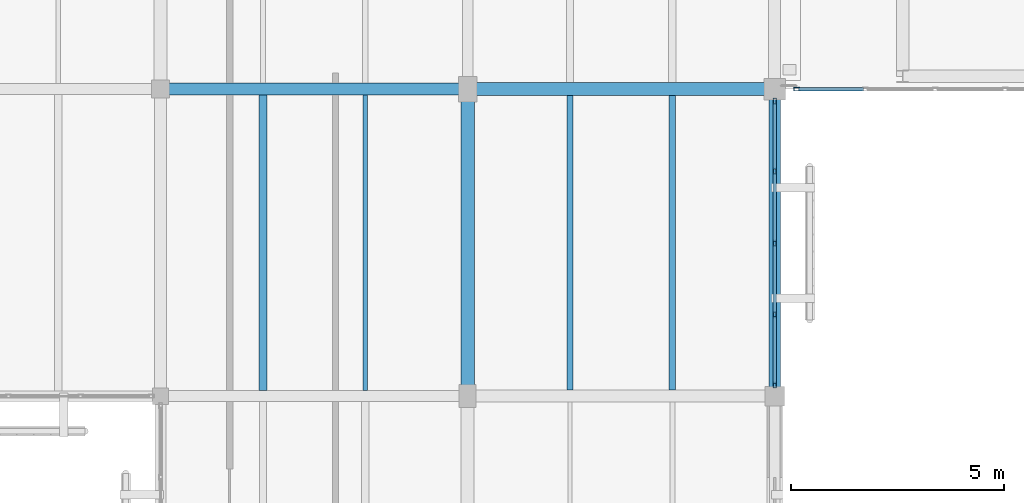
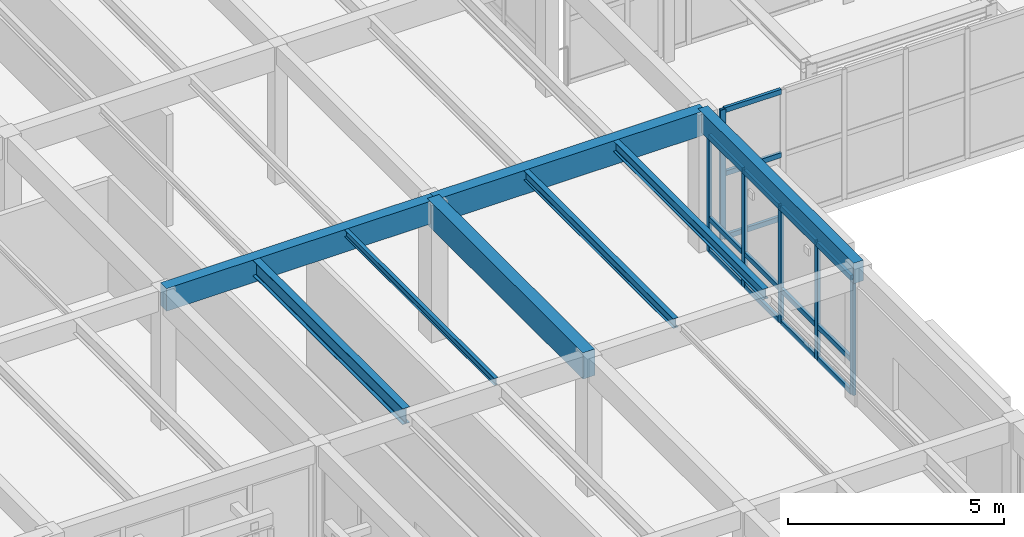
# One storey, part 58 of 217: 21 members, 8 beams, 2 elements without a shape of their own.
"""IFC4 building model written with IfcOpenShell, lengths in metres."""

from ifc_helpers import new_model, si_unit, direction, frame, origin, origin_2d, place, context, subcontext, project, spatial, rectangle, hollow_rectangle, i_section, extrude, material, layer, layer_set, material_profile, profile_set, type_object, element, aggregate, save


model = new_model("IFC4")

# Units and contexts
model_context = context("Model", 3, precision=1e-05, world=origin(), true_north=direction((0.0, 1.0)))
body_context = subcontext(model_context, "Body", "Model", "MODEL_VIEW")
ifc_project = project(units=[si_unit("LENGTHUNIT", "METRE"), si_unit("AREAUNIT", "SQUARE_METRE"), si_unit("VOLUMEUNIT", "CUBIC_METRE"), si_unit("PLANEANGLEUNIT", "RADIAN"), si_unit("MASSUNIT", "GRAM", prefix="KILO")], contexts=[model_context])

# Site, building, storey
site_placement = place(None, origin())
site = spatial("IfcSite", under=ifc_project, at=site_placement, CompositionType="ELEMENT")
building_placement = place(site_placement, origin())
building = spatial("IfcBuilding", under=site, at=building_placement, Name="Mazaris Harbour Polytechnic", CompositionType="ELEMENT")
storey_placement = place(building_placement, frame((0.0, 0.0, 9.60009765625)))
storey = spatial("IfcBuildingStorey", under=building, at=storey_placement, Name="L02", CompositionType="ELEMENT", Elevation=9.60009765625)

# Curtain wall, members
ifc_material_1 = material(Name="Anodised Bronze Aluminium and Low-E Glass", Category="aluminium")
ifc_layer_1 = layer(ifc_material_1, 0.159912109375, Name="Anodised Bronze Aluminium and Low-E Glass")
ifc_layer_set_1 = layer_set([ifc_layer_1], Name="Anodised Bronze Aluminium and Low-E Glass")
curtain_wall_type_1 = type_object("IfcCurtainWallType", Name="Cloister Court Curtain Wall", PredefinedType="NOTDEFINED", material=ifc_layer_set_1)
curtain_wall_1_placement = place(storey_placement, origin())
curtain_wall_1 = element("IfcCurtainWall", 1, at=curtain_wall_1_placement, inside=storey, type_object=curtain_wall_type_1, Name="V4 L02 Curtain Wall 131", PredefinedType="NOTDEFINED")
ifc_material_2 = material(Name="Anodised Bronze Steel S355", Category="steel")
ifc_material_profile_1 = material_profile(ifc_material_2, hollow_rectangle(XDim=0.080078125, YDim=0.139892578125, WallThickness=0.00634765625, at=origin_2d()), Name="RHS 80x140x6.3")
ifc_profile_set_1 = profile_set([ifc_material_profile_1], Name="Anodised Bronze Steel S355")
member_type_1 = type_object("IfcMemberType", Name="Curtain Mullion RHS80x140", PredefinedType="MULLION", material=ifc_profile_set_1)
member_1_placement = place(storey_placement, frame((43.199951171875, 75.318115234375, 0.0), z_axis=(0.0, 0.0, 1.0), x_axis=(1.0, 0.0, 0.0)))
member_1 = element("IfcMember", 2, at=member_1_placement, type_object=member_type_1, Name="CW-02 mullion 1", PredefinedType="MULLION", context=body_context, shape_type="SweptSolid", body=[
    extrude(hollow_rectangle(XDim=0.080078125, YDim=0.139892578125, WallThickness=0.00634765625, at=origin_2d()), origin(), (0.0, 0.0, 1.0), 3.2998046875),
])
member_2_placement = place(storey_placement, frame((43.199951171875, 73.674072265625, 0.0), z_axis=(0.0, 0.0, 1.0), x_axis=(1.0, 0.0, 0.0)))
member_2 = element("IfcMember", 3, at=member_2_placement, type_object=member_type_1, Name="CW-02 mullion 2", PredefinedType="MULLION", context=body_context, shape_type="SweptSolid", body=[
    extrude(hollow_rectangle(XDim=0.080078125, YDim=0.139892578125, WallThickness=0.00634765625, at=origin_2d()), origin(), (0.0, 0.0, 1.0), 3.2998046875),
])
member_3_placement = place(storey_placement, frame((43.199951171875, 71.989990234375, 0.0), z_axis=(0.0, 0.0, 1.0), x_axis=(1.0, 0.0, 0.0)))
member_3 = element("IfcMember", 4, at=member_3_placement, type_object=member_type_1, Name="CW-02 mullion 3", PredefinedType="MULLION", context=body_context, shape_type="SweptSolid", body=[
    extrude(hollow_rectangle(XDim=0.080078125, YDim=0.139892578125, WallThickness=0.00634765625, at=origin_2d()), origin(), (0.0, 0.0, 1.0), 3.2998046875),
])
member_4_placement = place(storey_placement, frame((43.199951171875, 70.305908203125, 0.0), z_axis=(0.0, 0.0, 1.0), x_axis=(1.0, 0.0, 0.0)))
member_4 = element("IfcMember", 5, at=member_4_placement, type_object=member_type_1, Name="CW-02 mullion 4", PredefinedType="MULLION", context=body_context, shape_type="SweptSolid", body=[
    extrude(hollow_rectangle(XDim=0.080078125, YDim=0.139892578125, WallThickness=0.00634765625, at=origin_2d()), origin(), (0.0, 0.0, 1.0), 3.2998046875),
])
member_5_placement = place(storey_placement, frame((43.199951171875, 68.662109375, 0.0), z_axis=(0.0, 0.0, 1.0), x_axis=(1.0, 0.0, 0.0)))
member_5 = element("IfcMember", 6, at=member_5_placement, type_object=member_type_1, Name="CW-02 mullion 5", PredefinedType="MULLION", context=body_context, shape_type="SweptSolid", body=[
    extrude(hollow_rectangle(XDim=0.080078125, YDim=0.139892578125, WallThickness=0.00634765625, at=origin_2d()), origin(), (0.0, 0.0, 1.0), 3.2998046875),
])

# Curtain wall, member
ifc_material_3 = material(Name="Anodised Bronze Aluminium and Low-E Glass", Category="aluminium")
ifc_layer_2 = layer(ifc_material_3, 0.139892578125, Name="Anodised Bronze Aluminium and Low-E Glass")
ifc_layer_set_2 = layer_set([ifc_layer_2], Name="Anodised Bronze Aluminium and Low-E Glass")
curtain_wall_type_2 = type_object("IfcCurtainWallType", Name="Seismic Link Bridge Glazing", PredefinedType="NOTDEFINED", material=ifc_layer_set_2)
curtain_wall_2_placement = place(storey_placement, origin())
curtain_wall_2 = element("IfcCurtainWall", 7, at=curtain_wall_2_placement, inside=storey, type_object=curtain_wall_type_2, Name="PB-W2 L02 Bridge Glazing", PredefinedType="NOTDEFINED")
member_6_placement = place(storey_placement, frame((43.719970703125, 75.60009765625, 0.0), z_axis=(0.0, 0.0, 1.0), x_axis=(0.0, 1.0, 0.0)))
member_6 = element("IfcMember", 8, at=member_6_placement, type_object=member_type_1, Name="CW-05 mullion 1", PredefinedType="MULLION", context=body_context, shape_type="SweptSolid", body=[
    extrude(hollow_rectangle(XDim=0.080078125, YDim=0.139892578125, WallThickness=0.00634765625, at=origin_2d()), origin(), (0.0, 0.0, 1.0), 3.659912109375),
])

# Member
ifc_material_4 = material(Name="Anodised Bronze Steel S355", Category="steel")
ifc_material_profile_2 = material_profile(ifc_material_4, hollow_rectangle(XDim=0.080078125, YDim=0.139892578125, WallThickness=0.00634765625, at=origin_2d()), Name="RHS 80x140x6.3")
ifc_profile_set_2 = profile_set([ifc_material_profile_2], Name="Anodised Bronze Steel S355")
member_type_2 = type_object("IfcMemberType", Name="Curtain Transom RHS80x140", PredefinedType="USERDEFINED", material=ifc_profile_set_2)
member_7_placement = place(storey_placement, frame((43.199951171875, 75.278076171875, 0.039794921875), z_axis=(0.0, -1.0, 0.0), x_axis=(1.0, 0.0, 0.0)))
member_7 = element("IfcMember", 9, at=member_7_placement, type_object=member_type_2, Name="CW-02 transom 1.1", ObjectType="TRANSOM", PredefinedType="USERDEFINED", context=body_context, shape_type="SweptSolid", body=[
    extrude(hollow_rectangle(XDim=0.080078125, YDim=0.139892578125, WallThickness=0.00634765625, at=origin_2d()), origin(), (0.0, 0.0, 1.0), 1.56396484375),
])

member_8_placement = place(storey_placement, frame((43.199951171875, 75.278076171875, 0.949951171875), z_axis=(0.0, -1.0, 0.0), x_axis=(1.0, 0.0, 0.0)))
member_8 = element("IfcMember", 10, at=member_8_placement, type_object=member_type_2, Name="CW-02 transom 1.2", ObjectType="TRANSOM", PredefinedType="USERDEFINED", context=body_context, shape_type="SweptSolid", body=[
    extrude(hollow_rectangle(XDim=0.080078125, YDim=0.139892578125, WallThickness=0.00634765625, at=origin_2d()), origin(), (0.0, 0.0, 1.0), 1.56396484375),
])

member_9_placement = place(storey_placement, frame((43.199951171875, 75.278076171875, 3.260009765625), z_axis=(0.0, -1.0, 0.0), x_axis=(1.0, 0.0, 0.0)))
member_9 = element("IfcMember", 11, at=member_9_placement, type_object=member_type_2, Name="CW-02 transom 1.3", ObjectType="TRANSOM", PredefinedType="USERDEFINED", context=body_context, shape_type="SweptSolid", body=[
    extrude(hollow_rectangle(XDim=0.080078125, YDim=0.139892578125, WallThickness=0.00634765625, at=origin_2d()), origin(), (0.0, 0.0, 1.0), 1.56396484375),
])

member_10_placement = place(storey_placement, frame((43.199951171875, 73.634033203125, 0.039794921875), z_axis=(0.0, -1.0, 0.0), x_axis=(1.0, 0.0, 0.0)))
member_10 = element("IfcMember", 12, at=member_10_placement, type_object=member_type_2, Name="CW-02 transom 2.1", ObjectType="TRANSOM", PredefinedType="USERDEFINED", context=body_context, shape_type="SweptSolid", body=[
    extrude(hollow_rectangle(XDim=0.080078125, YDim=0.139892578125, WallThickness=0.00634765625, at=origin_2d()), origin(), (0.0, 0.0, 1.0), 1.60400390625),
])

member_11_placement = place(storey_placement, frame((43.199951171875, 73.634033203125, 0.949951171875), z_axis=(0.0, -1.0, 0.0), x_axis=(1.0, 0.0, 0.0)))
member_11 = element("IfcMember", 13, at=member_11_placement, type_object=member_type_2, Name="CW-02 transom 2.2", ObjectType="TRANSOM", PredefinedType="USERDEFINED", context=body_context, shape_type="SweptSolid", body=[
    extrude(hollow_rectangle(XDim=0.080078125, YDim=0.139892578125, WallThickness=0.00634765625, at=origin_2d()), origin(), (0.0, 0.0, 1.0), 1.60400390625),
])

member_12_placement = place(storey_placement, frame((43.199951171875, 73.634033203125, 3.260009765625), z_axis=(0.0, -1.0, 0.0), x_axis=(1.0, 0.0, 0.0)))
member_12 = element("IfcMember", 14, at=member_12_placement, type_object=member_type_2, Name="CW-02 transom 2.3", ObjectType="TRANSOM", PredefinedType="USERDEFINED", context=body_context, shape_type="SweptSolid", body=[
    extrude(hollow_rectangle(XDim=0.080078125, YDim=0.139892578125, WallThickness=0.00634765625, at=origin_2d()), origin(), (0.0, 0.0, 1.0), 1.60400390625),
])

member_13_placement = place(storey_placement, frame((43.199951171875, 71.949951171875, 0.039794921875), z_axis=(0.0, -1.0, 0.0), x_axis=(1.0, 0.0, 0.0)))
member_13 = element("IfcMember", 15, at=member_13_placement, type_object=member_type_2, Name="CW-02 transom 3.1", ObjectType="TRANSOM", PredefinedType="USERDEFINED", context=body_context, shape_type="SweptSolid", body=[
    extrude(hollow_rectangle(XDim=0.080078125, YDim=0.139892578125, WallThickness=0.00634765625, at=origin_2d()), origin(), (0.0, 0.0, 1.0), 1.60400390625),
])

member_14_placement = place(storey_placement, frame((43.199951171875, 71.949951171875, 0.949951171875), z_axis=(0.0, -1.0, 0.0), x_axis=(1.0, 0.0, 0.0)))
member_14 = element("IfcMember", 16, at=member_14_placement, type_object=member_type_2, Name="CW-02 transom 3.2", ObjectType="TRANSOM", PredefinedType="USERDEFINED", context=body_context, shape_type="SweptSolid", body=[
    extrude(hollow_rectangle(XDim=0.080078125, YDim=0.139892578125, WallThickness=0.00634765625, at=origin_2d()), origin(), (0.0, 0.0, 1.0), 1.60400390625),
])

member_15_placement = place(storey_placement, frame((43.199951171875, 71.949951171875, 3.260009765625), z_axis=(0.0, -1.0, 0.0), x_axis=(1.0, 0.0, 0.0)))
member_15 = element("IfcMember", 17, at=member_15_placement, type_object=member_type_2, Name="CW-02 transom 3.3", ObjectType="TRANSOM", PredefinedType="USERDEFINED", context=body_context, shape_type="SweptSolid", body=[
    extrude(hollow_rectangle(XDim=0.080078125, YDim=0.139892578125, WallThickness=0.00634765625, at=origin_2d()), origin(), (0.0, 0.0, 1.0), 1.60400390625),
])

member_16_placement = place(storey_placement, frame((43.199951171875, 70.26611328125, 0.039794921875), z_axis=(0.0, -1.0, 0.0), x_axis=(1.0, 0.0, 0.0)))
member_16 = element("IfcMember", 18, at=member_16_placement, type_object=member_type_2, Name="CW-02 transom 4.1", ObjectType="TRANSOM", PredefinedType="USERDEFINED", context=body_context, shape_type="SweptSolid", body=[
    extrude(hollow_rectangle(XDim=0.080078125, YDim=0.139892578125, WallThickness=0.00634765625, at=origin_2d()), origin(), (0.0, 0.0, 1.0), 1.564208984375),
])

member_17_placement = place(storey_placement, frame((43.199951171875, 70.26611328125, 0.949951171875), z_axis=(0.0, -1.0, 0.0), x_axis=(1.0, 0.0, 0.0)))
member_17 = element("IfcMember", 19, at=member_17_placement, type_object=member_type_2, Name="CW-02 transom 4.2", ObjectType="TRANSOM", PredefinedType="USERDEFINED", context=body_context, shape_type="SweptSolid", body=[
    extrude(hollow_rectangle(XDim=0.080078125, YDim=0.139892578125, WallThickness=0.00634765625, at=origin_2d()), origin(), (0.0, 0.0, 1.0), 1.564208984375),
])

member_18_placement = place(storey_placement, frame((43.199951171875, 70.26611328125, 3.260009765625), z_axis=(0.0, -1.0, 0.0), x_axis=(1.0, 0.0, 0.0)))
member_18 = element("IfcMember", 20, at=member_18_placement, type_object=member_type_2, Name="CW-02 transom 4.3", ObjectType="TRANSOM", PredefinedType="USERDEFINED", context=body_context, shape_type="SweptSolid", body=[
    extrude(hollow_rectangle(XDim=0.080078125, YDim=0.139892578125, WallThickness=0.00634765625, at=origin_2d()), origin(), (0.0, 0.0, 1.0), 1.564208984375),
])

aggregate(curtain_wall_1, [member_1, member_2, member_3, member_4, member_5, member_7, member_8, member_9, member_10, member_11, member_12, member_13, member_14, member_15, member_16, member_17, member_18])

member_19_placement = place(storey_placement, frame((43.760009765625, 75.60009765625, 0.039794921875), z_axis=(1.0, 0.0, 0.0), x_axis=(0.0, 1.0, 0.0)))
member_19 = element("IfcMember", 21, at=member_19_placement, type_object=member_type_2, Name="CW-05 transom 1.1", ObjectType="TRANSOM", PredefinedType="USERDEFINED", context=body_context, shape_type="SweptSolid", body=[
    extrude(hollow_rectangle(XDim=0.080078125, YDim=0.139892578125, WallThickness=0.00634765625, at=origin_2d()), origin(), (0.0, 0.0, 1.0), 1.52001953125),
])

member_20_placement = place(storey_placement, frame((43.760009765625, 75.60009765625, 1.829833984375), z_axis=(1.0, 0.0, 0.0), x_axis=(0.0, 1.0, 0.0)))
member_20 = element("IfcMember", 22, at=member_20_placement, type_object=member_type_2, Name="CW-05 transom 1.2", ObjectType="TRANSOM", PredefinedType="USERDEFINED", context=body_context, shape_type="SweptSolid", body=[
    extrude(hollow_rectangle(XDim=0.080078125, YDim=0.139892578125, WallThickness=0.00634765625, at=origin_2d()), origin(), (0.0, 0.0, 1.0), 1.52001953125),
])

member_21_placement = place(storey_placement, frame((43.760009765625, 75.60009765625, 3.619873046875), z_axis=(1.0, 0.0, 0.0), x_axis=(0.0, 1.0, 0.0)))
member_21 = element("IfcMember", 23, at=member_21_placement, type_object=member_type_2, Name="CW-05 transom 1.3", ObjectType="TRANSOM", PredefinedType="USERDEFINED", context=body_context, shape_type="SweptSolid", body=[
    extrude(hollow_rectangle(XDim=0.080078125, YDim=0.139892578125, WallThickness=0.00634765625, at=origin_2d()), origin(), (0.0, 0.0, 1.0), 1.52001953125),
])

aggregate(curtain_wall_2, [member_6, member_19, member_20, member_21])

# Beams
ifc_material_5 = material(Name="Glulam GL32h", Category="wood")
ifc_material_profile_3 = material_profile(ifc_material_5, rectangle(XDim=0.260009765625, YDim=0.580078125, at=origin_2d()), Name="RECT260x580")
ifc_profile_set_3 = profile_set([ifc_material_profile_3], Name="Glulam GL32h")
beam_type_1 = type_object("IfcBeamType", Name="Glulam Girder 260x580 Exterior", PredefinedType="BEAM", material=ifc_profile_set_3)
beam_1_placement = place(storey_placement, frame((43.199951171875, 68.39990234375, 3.599853515625), z_axis=(0.0, 1.0, 0.0), x_axis=(-1.0, 0.0, 0.0)))
element("IfcBeam", 24, at=beam_1_placement, inside=storey, type_object=beam_type_1, Name="V4 L02 Tie Girder 2041", PredefinedType="BEAM", context=body_context, shape_type="SweptSolid", body=[
    extrude(rectangle(XDim=0.260009765625, YDim=0.580078125, at=origin_2d()), origin(), (0.0, 0.0, 1.0), 7.2001953125),
])
ifc_material_6 = material(Name="Glulam GL32h", Category="wood")
ifc_material_profile_4 = material_profile(ifc_material_6, rectangle(XDim=0.280029296875, YDim=0.639892578125, at=origin_2d()), Name="RECT280x640")
ifc_profile_set_4 = profile_set([ifc_material_profile_4], Name="Glulam GL32h")
beam_type_2 = type_object("IfcBeamType", Name="Glulam Girder 280x640", PredefinedType="BEAM", material=ifc_profile_set_4)
beam_2_placement = place(storey_placement, frame((28.800048828125, 75.60009765625, 3.56982421875), z_axis=(1.0, 0.0, 0.0), x_axis=(0.0, 1.0, 0.0)))
element("IfcBeam", 25, at=beam_2_placement, inside=storey, type_object=beam_type_2, Name="V4 L02 Girder 1947", PredefinedType="BEAM", context=body_context, shape_type="SweptSolid", body=[
    extrude(rectangle(XDim=0.280029296875, YDim=0.639892578125, at=origin_2d()), origin(), (0.0, 0.0, 1.0), 7.199951171875),
])
ifc_material_7 = material(Name="Glulam GL32h", Category="wood")
ifc_material_profile_5 = material_profile(ifc_material_7, rectangle(XDim=0.300048828125, YDim=0.679931640625, at=origin_2d()), Name="RECT300x680")
ifc_profile_set_5 = profile_set([ifc_material_profile_5], Name="Glulam GL32h")
beam_type_3 = type_object("IfcBeamType", Name="Glulam Girder 300x680", PredefinedType="BEAM", material=ifc_profile_set_5)
beam_3_placement = place(storey_placement, frame((36.0, 75.60009765625, 3.5498046875), z_axis=(1.0, 0.0, 0.0), x_axis=(0.0, 1.0, 0.0)))
element("IfcBeam", 26, at=beam_3_placement, inside=storey, type_object=beam_type_3, Name="V4 L02 Girder 1948", PredefinedType="BEAM", context=body_context, shape_type="SweptSolid", body=[
    extrude(rectangle(XDim=0.300048828125, YDim=0.679931640625, at=origin_2d()), origin(), (0.0, 0.0, 1.0), 7.199951171875),
])
ifc_material_8 = material(Name="Glulam GL32h", Category="wood")
ifc_material_profile_6 = material_profile(ifc_material_8, rectangle(XDim=0.320068359375, YDim=0.739990234375, at=origin_2d()), Name="RECT320x740")
ifc_profile_set_6 = profile_set([ifc_material_profile_6], Name="Glulam GL32h")
beam_type_4 = type_object("IfcBeamType", Name="Glulam Girder 320x740", PredefinedType="BEAM", material=ifc_profile_set_6)
beam_4_placement = place(storey_placement, frame((36.0, 68.39990234375, 3.52001953125), z_axis=(0.0, 1.0, 0.0), x_axis=(-1.0, 0.0, 0.0)))
element("IfcBeam", 27, at=beam_4_placement, inside=storey, type_object=beam_type_4, Name="V4 L02 Tie Girder 2029", PredefinedType="BEAM", context=body_context, shape_type="SweptSolid", body=[
    extrude(rectangle(XDim=0.320068359375, YDim=0.739990234375, at=origin_2d()), origin(), (0.0, 0.0, 1.0), 7.2001953125),
])
ifc_material_9 = material(Name="Steel S355", Category="steel")
ifc_material_profile_7 = material_profile(ifc_material_9, i_section(OverallWidth=0.10009765625, OverallDepth=0.199951171875, WebThickness=0.005615234375, FlangeThickness=0.008544921875, FilletRadius=0.011962890625, at=origin_2d()), Name="IPE 200")
ifc_profile_set_7 = profile_set([ifc_material_profile_7], Name="Steel S355")
beam_type_5 = type_object("IfcBeamType", Name="Steel Joist IPE200", PredefinedType="JOIST", material=ifc_profile_set_7)
beam_5_placement = place(storey_placement, frame((33.60009765625, 68.530029296875, 3.789794921875), z_axis=(0.0, 1.0, 0.0), x_axis=(-1.0, 0.0, 0.0)))
element("IfcBeam", 28, at=beam_5_placement, inside=storey, type_object=beam_type_5, Name="V4 L02 Floor Joist 2135", PredefinedType="JOIST", context=body_context, shape_type="SweptSolid", body=[
    extrude(i_section(OverallWidth=0.10009765625, OverallDepth=0.199951171875, WebThickness=0.005615234375, FlangeThickness=0.008544921875, FilletRadius=0.011962890625, at=origin_2d()), origin(), (0.0, 0.0, 1.0), 6.929931640625),
])
ifc_material_10 = material(Name="Steel S355", Category="steel")
ifc_material_profile_8 = material_profile(ifc_material_10, i_section(OverallWidth=0.135009765625, OverallDepth=0.27001953125, WebThickness=0.006591796875, FlangeThickness=0.01025390625, FilletRadius=0.014892578125, at=origin_2d()), Name="IPE 270")
ifc_profile_set_8 = profile_set([ifc_material_profile_8], Name="Steel S355")
beam_type_6 = type_object("IfcBeamType", Name="Steel Joist IPE270", PredefinedType="JOIST", material=ifc_profile_set_8)
beam_6_placement = place(storey_placement, frame((38.39990234375, 68.5400390625, 3.7548828125), z_axis=(0.0, 1.0, 0.0), x_axis=(-1.0, 0.0, 0.0)))
element("IfcBeam", 29, at=beam_6_placement, inside=storey, type_object=beam_type_6, Name="V4 L02 Floor Joist 2158", PredefinedType="JOIST", context=body_context, shape_type="SweptSolid", body=[
    extrude(i_section(OverallWidth=0.135009765625, OverallDepth=0.27001953125, WebThickness=0.006591796875, FlangeThickness=0.01025390625, FilletRadius=0.014892578125, at=origin_2d()), origin(), (0.0, 0.0, 1.0), 6.909912109375),
])
ifc_material_11 = material(Name="Steel S355", Category="steel")
ifc_material_profile_9 = material_profile(ifc_material_11, i_section(OverallWidth=0.14990234375, OverallDepth=0.300048828125, WebThickness=0.007080078125, FlangeThickness=0.0107421875, FilletRadius=0.014892578125, at=origin_2d()), Name="IPE 300")
ifc_profile_set_9 = profile_set([ifc_material_profile_9], Name="Steel S355")
beam_type_7 = type_object("IfcBeamType", Name="Steel Joist IPE300", PredefinedType="JOIST", material=ifc_profile_set_9)
beam_7_placement = place(storey_placement, frame((40.800048828125, 68.5400390625, 3.739990234375), z_axis=(0.0, 1.0, 0.0), x_axis=(-1.0, 0.0, 0.0)))
element("IfcBeam", 30, at=beam_7_placement, inside=storey, type_object=beam_type_7, Name="V4 L02 Floor Joist 2159", PredefinedType="JOIST", context=body_context, shape_type="SweptSolid", body=[
    extrude(i_section(OverallWidth=0.14990234375, OverallDepth=0.300048828125, WebThickness=0.007080078125, FlangeThickness=0.0107421875, FilletRadius=0.014892578125, at=origin_2d()), origin(), (0.0, 0.0, 1.0), 6.909912109375),
])
ifc_material_12 = material(Name="Steel S355", Category="steel")
ifc_material_profile_10 = material_profile(ifc_material_12, i_section(OverallWidth=0.18994140625, OverallDepth=0.449951171875, WebThickness=0.009521484375, FlangeThickness=0.0146484375, FilletRadius=0.02099609375, at=origin_2d()), Name="IPE 450")
ifc_profile_set_10 = profile_set([ifc_material_profile_10], Name="Steel S355")
beam_type_8 = type_object("IfcBeamType", Name="Steel Joist IPE450", PredefinedType="JOIST", material=ifc_profile_set_10)
beam_8_placement = place(storey_placement, frame((31.199951171875, 68.530029296875, 3.664794921875), z_axis=(0.0, 1.0, 0.0), x_axis=(-1.0, 0.0, 0.0)))
element("IfcBeam", 31, at=beam_8_placement, inside=storey, type_object=beam_type_8, Name="V4 L02 Floor Joist 2134", PredefinedType="JOIST", context=body_context, shape_type="SweptSolid", body=[
    extrude(i_section(OverallWidth=0.18994140625, OverallDepth=0.449951171875, WebThickness=0.009521484375, FlangeThickness=0.0146484375, FilletRadius=0.02099609375, at=origin_2d()), origin(), (0.0, 0.0, 1.0), 6.929931640625),
])

save(model, "model.ifc")
